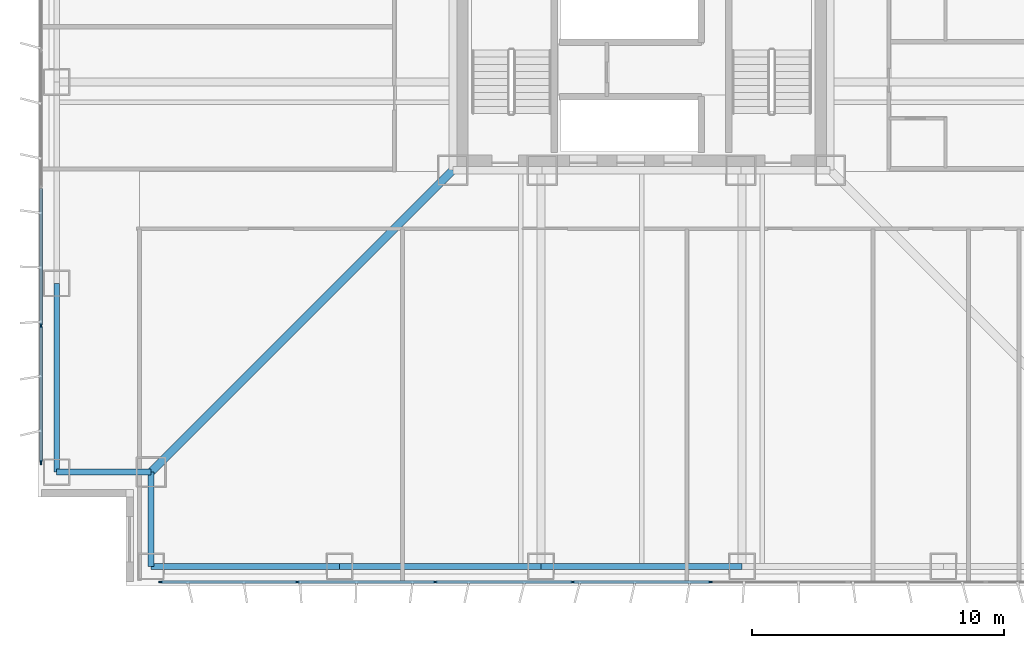
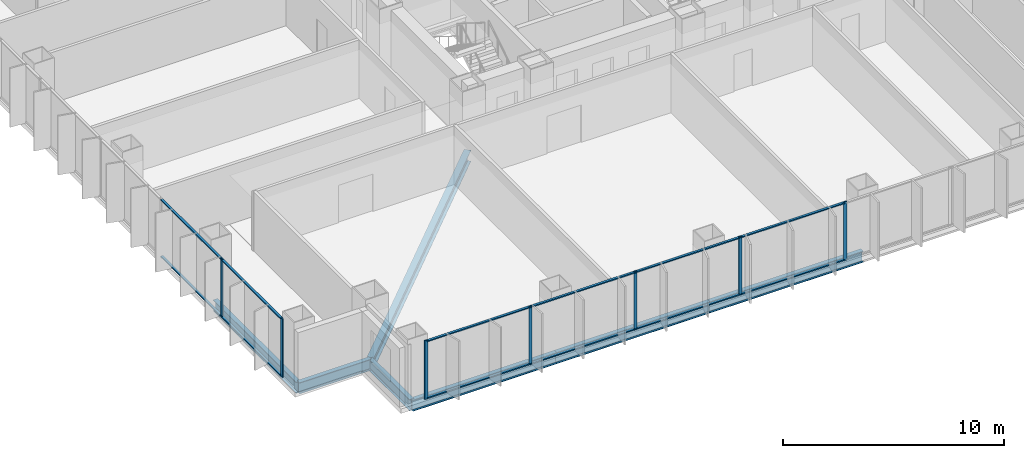
# One storey, part 2 of 17: 19 members, 7 beams, 2 elements without a shape of their own.
"""IFC4 building model written with IfcOpenShell, lengths in metres."""

import ifcopenshell
import ifcopenshell.guid

model = None  # the IFC model being written
_history = None  # IfcOwnerHistory: only IFC2X3 demands one
_inside = {}  # id of a spatial element -> (the spatial element, [elements in it])
_under = {}  # id of a project, library or spatial element -> (it, [spatial elements below it])
_declared = {}  # id of a project -> (the project, [libraries it declares])
_typed = {}  # id of a type object -> (the type object, [elements of that type])
_made_of = {}  # id of a material, layer set ... -> (it, [elements and type objects made of it])


def new_model(schema):
    """Start an empty IFC model of exactly this schema.

    Asked for "IFC4X3", IfcOpenShell would pick the latest addendum, in which some entities
    have other attributes; the version numbers below select the first issue.
    IFC2X3 requires an IfcOwnerHistory on every rooted entity: one is made here for all.
    """
    global model, _history
    if schema == "IFC4X3":
        model = ifcopenshell.file(schema_version=(4, 3, 0, 0))
    else:
        model = ifcopenshell.file(schema=schema)
    _inside.clear()
    _under.clear()
    _declared.clear()
    _typed.clear()
    _made_of.clear()
    _history = None
    if model.schema == "IFC2X3":
        org = make("IfcOrganization", Name="unknown")
        user = make(
            "IfcPersonAndOrganization",
            ThePerson=make("IfcPerson", FamilyName="unknown"),
            TheOrganization=org,
        )
        app = make(
            "IfcApplication",
            ApplicationDeveloper=org,
            Version="unknown",
            ApplicationFullName="unknown",
            ApplicationIdentifier="unknown",
        )
        _history = make(
            "IfcOwnerHistory",
            OwningUser=user,
            OwningApplication=app,
            ChangeAction="ADDED",
            CreationDate=0,
        )
    return model


def make(cls, **values):
    """One entity of the class cls with the attributes given. An attribute that is None is left unset."""
    return model.create_entity(
        cls, **{name: value for name, value in values.items() if value is not None}
    )


def rooted(cls, **values):
    """An entity with a GlobalId (a new one), such as an element, a storey or a relation."""
    return make(cls, GlobalId=ifcopenshell.guid.new(), OwnerHistory=_history, **values)


def si_unit(unit_type, name, prefix=None):
    """IfcSIUnit, for example si_unit("LENGTHUNIT", "METRE", prefix="MILLI")."""
    return make("IfcSIUnit", UnitType=unit_type, Prefix=prefix, Name=name)


def assignment(units):
    """IfcUnitAssignment: the units of a project."""
    return None if units is None else make("IfcUnitAssignment", Units=units)


def point(xyz):
    """IfcCartesianPoint."""
    return None if xyz is None else make("IfcCartesianPoint", Coordinates=xyz)


def direction(xyz):
    """IfcDirection."""
    return None if xyz is None else make("IfcDirection", DirectionRatios=xyz)


def frame(location, z_axis=None, x_axis=None):
    """IfcAxis2Placement3D, a coordinate frame: its origin and axes. An axis left out is left unset."""
    return make(
        "IfcAxis2Placement3D",
        Location=point(location),
        Axis=direction(z_axis),
        RefDirection=direction(x_axis),
    )


def frame_2d(location, x_axis=None):
    """IfcAxis2Placement2D, a coordinate frame in the plane: its origin and x axis."""
    return make(
        "IfcAxis2Placement2D", Location=point(location), RefDirection=direction(x_axis)
    )


def origin():
    """The frame at (0, 0, 0) with its axes left unset."""
    return frame((0.0, 0.0, 0.0))


def origin_2d():
    """The frame at (0, 0) in the plane with its x axis left unset."""
    return frame_2d((0.0, 0.0))


def place(relative_to, where):
    """IfcLocalPlacement: puts the frame where relative to a parent placement (None: the world)."""
    return make(
        "IfcLocalPlacement", PlacementRelTo=relative_to, RelativePlacement=where
    )


def context(
    kind, dimensions, precision=None, world=None, true_north=None, identifier=None
):
    """IfcGeometricRepresentationContext, for example the 3D "Model" context."""
    return make(
        "IfcGeometricRepresentationContext",
        ContextIdentifier=identifier,
        ContextType=kind,
        CoordinateSpaceDimension=dimensions,
        Precision=precision,
        WorldCoordinateSystem=world,
        TrueNorth=true_north,
    )


def subcontext(parent, identifier, kind, view, scale=None):
    """IfcGeometricRepresentationSubContext, for example "Body" below "Model"."""
    return make(
        "IfcGeometricRepresentationSubContext",
        ContextIdentifier=identifier,
        ContextType=kind,
        ParentContext=parent,
        TargetScale=scale,
        TargetView=view,
    )


def project(units=None, contexts=None):
    """IfcProject with its units and contexts."""
    return rooted(
        "IfcProject",
        Name="project",
        RepresentationContexts=contexts,
        UnitsInContext=assignment(units),
    )


def spatial(cls, under=None, at=None, **own):
    """A site, building, storey or space (cls), placed at a placement, below another one or the project."""
    s = rooted(cls, ObjectPlacement=at, **own)
    if under is not None:
        _under.setdefault(under.id(), (under, []))[1].append(s)
    return s


def profile(cls, at=None, kind="AREA", **sizes):
    """A parametric profile (cls). Its sizes go by their IFC names, for example OverallWidth=200.0."""
    return make(cls, ProfileType=kind, Position=at, **sizes)


def rectangle(**sizes):
    """IfcRectangleProfileDef."""
    return profile("IfcRectangleProfileDef", **sizes)


def i_section(**sizes):
    """IfcIShapeProfileDef."""
    return profile("IfcIShapeProfileDef", **sizes)


def extrude(swept, where, along, depth):
    """IfcExtrudedAreaSolid: the profile swept, set in the frame where, extruded along a direction by depth."""
    return make(
        "IfcExtrudedAreaSolid",
        SweptArea=swept,
        Position=where,
        ExtrudedDirection=direction(along),
        Depth=depth,
    )


def shape(context_of_items, identifier, shape_type, items):
    """IfcShapeRepresentation: the items that make up one representation, for example the "Body"."""
    return make(
        "IfcShapeRepresentation",
        ContextOfItems=context_of_items,
        RepresentationIdentifier=identifier,
        RepresentationType=shape_type,
        Items=items,
    )


def material(Name=None, Category=None):
    """IfcMaterial."""
    return make("IfcMaterial", Name=Name, Category=Category)


def layer(
    of_material, thickness, ventilated=None, Name=None, Category=None, Priority=None
):
    """IfcMaterialLayer: one layer of a wall or slab, of a material (None: an air gap)."""
    return make(
        "IfcMaterialLayer",
        Material=of_material,
        LayerThickness=thickness,
        IsVentilated=ventilated,
        Name=Name,
        Category=Category,
        Priority=Priority,
    )


def layer_set(layers, Name=None):
    """IfcMaterialLayerSet."""
    return make("IfcMaterialLayerSet", MaterialLayers=layers, LayerSetName=Name)


def material_profile(
    of_material, cross_section, Name=None, Category=None, Priority=None
):
    """IfcMaterialProfile: a cross section and its material."""
    return make(
        "IfcMaterialProfile",
        Name=Name,
        Material=of_material,
        Profile=cross_section,
        Priority=Priority,
        Category=Category,
    )


def profile_set(profiles, Name=None, composite=None):
    """IfcMaterialProfileSet."""
    return make(
        "IfcMaterialProfileSet",
        Name=Name,
        MaterialProfiles=profiles,
        CompositeProfile=composite,
    )


def made_of(thing, what):
    """Note that an element or type object is made of a material, layer set ...; save() writes the relation."""
    if what is not None:
        _made_of.setdefault(what.id(), (what, []))[1].append(thing)
    return thing


def type_object(cls, material=None, **own):
    """A type object (cls), such as IfcWallType, which elements share."""
    return made_of(rooted(cls, **own), material)


def element(
    cls,
    number,
    at=None,
    inside=None,
    cuts=None,
    type_object=None,
    material=None,
    context=None,
    identifier="Body",
    shape_type=None,
    held_by="IfcProductDefinitionShape",
    body=None,
    shapes=None,
    **own,
):
    """One element of the class cls, such as IfcWall. Its Tag is "e" and its number.

    at: its placement. inside: the storey or other place that contains it. cuts: it is an
    opening in that element (IfcRelVoidsElement). A single representation is given by context,
    identifier, shape_type and body (its items); several are given by shapes. held_by: the class
    of the entity that holds the representations. save() writes the other relations.
    """
    e = rooted(cls, Tag="e%d" % number, ObjectPlacement=at, **own)
    if body is not None:
        shapes = [shape(context, identifier, shape_type, body)]
    if shapes is not None:
        e.Representation = make(held_by, Representations=shapes)
    if inside is not None:
        _inside.setdefault(inside.id(), (inside, []))[1].append(e)
    if cuts is not None:
        rooted(
            "IfcRelVoidsElement", RelatingBuildingElement=cuts, RelatedOpeningElement=e
        )
    if type_object is not None:
        _typed.setdefault(type_object.id(), (type_object, []))[1].append(e)
    return made_of(e, material)


def aggregate(whole, parts):
    """IfcRelAggregates: a whole, such as a stair, and the parts it consists of."""
    return rooted("IfcRelAggregates", RelatingObject=whole, RelatedObjects=parts)


def save(model, path):
    """Write the relations noted so far, then the file.

    IfcRelAggregates (storeys below a building ...), IfcRelContainedInSpatialStructure (elements
    in a storey), IfcRelDefinesByType, IfcRelAssociatesMaterial and IfcRelDeclares: one each for
    every whole, place, type object, material and project.
    """
    for whole, parts in _under.values():
        aggregate(whole, parts)
    for where, things in _inside.values():
        rooted(
            "IfcRelContainedInSpatialStructure",
            RelatedElements=things,
            RelatingStructure=where,
        )
    for kind, things in _typed.values():
        rooted("IfcRelDefinesByType", RelatedObjects=things, RelatingType=kind)
    for what, things in _made_of.values():
        rooted("IfcRelAssociatesMaterial", RelatedObjects=things, RelatingMaterial=what)
    for by, libraries in _declared.values():
        rooted("IfcRelDeclares", RelatingContext=by, RelatedDefinitions=libraries)
    model.write(path)


model = new_model("IFC4")

# Units and contexts
model_context = context("Model", 3, precision=1e-05, world=origin(), true_north=direction((0.0, 1.0)))
body_context = subcontext(model_context, "Body", "Model", "MODEL_VIEW")
ifc_project = project(units=[si_unit("LENGTHUNIT", "METRE"), si_unit("AREAUNIT", "SQUARE_METRE"), si_unit("VOLUMEUNIT", "CUBIC_METRE"), si_unit("PLANEANGLEUNIT", "RADIAN"), si_unit("MASSUNIT", "GRAM", prefix="KILO")], contexts=[model_context])

# Site, building, storey
site_placement = place(None, origin())
site = spatial("IfcSite", under=ifc_project, at=site_placement, CompositionType="ELEMENT")
building_placement = place(site_placement, origin())
building = spatial("IfcBuilding", under=site, at=building_placement, Name="Trevonay Congress Spire", CompositionType="ELEMENT")
storey_placement = place(building_placement, frame((0.0, 0.0, 69.0)))
storey = spatial("IfcBuildingStorey", under=building, at=storey_placement, Name="L17", CompositionType="ELEMENT", Elevation=69.0)

# Beams
ifc_material_1 = material(Name="Steel ASTM A572 Grade 50", Category="steel")
ifc_material_profile_1 = material_profile(ifc_material_1, i_section(OverallWidth=0.324951171875, OverallDepth=0.615966796875, WebThickness=0.013916015625, FlangeThickness=0.021484375, FilletRadius=0.01806640625, at=origin_2d()), Name="W610x174")
ifc_profile_set_1 = profile_set([ifc_material_profile_1], Name="Steel ASTM A572 Grade 50")
beam_type_1 = type_object("IfcBeamType", Name="BM-GIRD-W610X174", PredefinedType="BEAM", material=ifc_profile_set_1)
beam_placement = place(storey_placement, frame((-7.5, -7.5, -0.55810546875), z_axis=(-0.707106781187, -0.707106781187, 0.0), x_axis=(0.707106781187, -0.707106781187, 0.0)))
element("IfcBeam", 1, at=beam_placement, inside=storey, type_object=beam_type_1, Name="L17 structural beam BM-L17-CDSW", PredefinedType="BEAM", context=body_context, shape_type="SweptSolid", body=[
    extrude(i_section(OverallWidth=0.324951171875, OverallDepth=0.615966796875, WebThickness=0.013916015625, FlangeThickness=0.021484375, FilletRadius=0.01806640625, at=origin_2d()), origin(), (0.0, 0.0, 1.0), 16.970458984375),
])
ifc_material_profile_2 = material_profile(ifc_material_1, i_section(OverallWidth=0.22998046875, OverallDepth=0.616943359375, WebThickness=0.01318359375, FlangeThickness=0.022216796875, FilletRadius=0.01611328125, at=origin_2d()), Name="W610x140")
ifc_profile_set_2 = profile_set([ifc_material_profile_2], Name="Steel ASTM A572 Grade 50")
beam_type_2 = type_object("IfcBeamType", Name="BM-RING-W610X140", PredefinedType="BEAM", material=ifc_profile_set_2)
for number, where, z_axis, x_axis, name in (
    (2, (-19.5, -23.25, -0.55859375), (1.0, 0.0, 0.0), (0.0, 1.0, 0.0), "L17 structural beam BM-L17-PS1"),
    (3, (-23.25, -19.5, -0.55859375), (0.0, 1.0, 0.0), (-1.0, 0.0, 0.0), "L17 structural beam BM-L17-PW1"),
):
    element("IfcBeam", number, at=place(storey_placement, frame(where, z_axis=z_axis, x_axis=x_axis)), inside=storey, type_object=beam_type_2, Name=name, PredefinedType="BEAM", context=body_context, shape_type="SweptSolid", body=[
        extrude(i_section(OverallWidth=0.22998046875, OverallDepth=0.616943359375, WebThickness=0.01318359375, FlangeThickness=0.022216796875, FilletRadius=0.01611328125, at=origin_2d()), origin(), (0.0, 0.0, 1.0), 7.5),
    ])
for number, where, z_axis, x_axis, name in (
    (4, (-12.0, -23.25, -0.55859375), (1.0, 0.0, 0.0), (0.0, 1.0, 0.0), "L17 structural beam BM-L17-PS2"),
    (5, (-4.0, -23.25, -0.55859375), (1.0, 0.0, 0.0), (0.0, 1.0, 0.0), "L17 structural beam BM-L17-PS3"),
):
    element("IfcBeam", number, at=place(storey_placement, frame(where, z_axis=z_axis, x_axis=x_axis)), inside=storey, type_object=beam_type_2, Name=name, PredefinedType="BEAM", context=body_context, shape_type="SweptSolid", body=[
        extrude(i_section(OverallWidth=0.22998046875, OverallDepth=0.616943359375, WebThickness=0.01318359375, FlangeThickness=0.022216796875, FilletRadius=0.01611328125, at=origin_2d()), origin(), (0.0, 0.0, 1.0), 8.0),
    ])
for number, where, z_axis, x_axis, name in (
    (6, (-19.5, -23.25, -0.55859375), (0.0, 1.0, 0.0), (-1.0, 0.0, 0.0), "L17 structural beam BM-L17-N1SW"),
    (7, (-23.25, -19.5, -0.55859375), (1.0, 0.0, 0.0), (0.0, 1.0, 0.0), "L17 structural beam BM-L17-N2SW"),
):
    element("IfcBeam", number, at=place(storey_placement, frame(where, z_axis=z_axis, x_axis=x_axis)), inside=storey, type_object=beam_type_2, Name=name, PredefinedType="BEAM", context=body_context, shape_type="SweptSolid", body=[
        extrude(i_section(OverallWidth=0.22998046875, OverallDepth=0.616943359375, WebThickness=0.01318359375, FlangeThickness=0.022216796875, FilletRadius=0.01611328125, at=origin_2d()), origin(), (0.0, 0.0, 1.0), 3.75),
    ])

# Curtain wall, members
ifc_material_2 = material(Name="Pale Anodised Aluminium EN AW-6063-T6", Category="aluminium")
ifc_layer = layer(ifc_material_2, 0.179931640625, Name="Pale Anodised Aluminium EN AW-6063-T6")
ifc_layer_set = layer_set([ifc_layer], Name="Pale Anodised Aluminium EN AW-6063-T6")
curtain_wall_type = type_object("IfcCurtainWallType", Name="CW-SYS02-HOTEL-PALE-METAL", PredefinedType="NOTDEFINED", material=ifc_layer_set)
curtain_wall_1_placement = place(storey_placement, origin())
curtain_wall_1 = element("IfcCurtainWall", 8, at=curtain_wall_1_placement, inside=storey, type_object=curtain_wall_type, Name="L17 S unitised curtain wall", PredefinedType="NOTDEFINED")
ifc_material_profile_3 = material_profile(ifc_material_2, rectangle(XDim=0.06005859375, YDim=0.159912109375, at=origin_2d()), Name="CW-MULLION-160-ALUMINIUM")
ifc_profile_set_3 = profile_set([ifc_material_profile_3], Name="Pale Anodised Aluminium EN AW-6063-T6")
member_type_1 = type_object("IfcMemberType", Name="CW-MULLION-160-ALUMINIUM", PredefinedType="MULLION", material=ifc_profile_set_3)
member_1_placement = place(storey_placement, frame((-19.1201171875, -23.8798828125, 0.0), z_axis=(0.0, 0.0, 1.0), x_axis=(0.0, 1.0, 0.0)))
member_1 = element("IfcMember", 9, at=member_1_placement, type_object=member_type_1, Name="CW02 mullion 1", PredefinedType="MULLION", context=body_context, shape_type="SweptSolid", body=[
    extrude(rectangle(XDim=0.06005859375, YDim=0.159912109375, at=origin_2d()), origin(), (0.0, 0.0, 1.0), 3.25),
])
member_2_placement = place(storey_placement, frame((-13.678466796875, -23.8798828125, 0.0), z_axis=(0.0, 0.0, 1.0), x_axis=(0.0, 1.0, 0.0)))
member_2 = element("IfcMember", 10, at=member_2_placement, type_object=member_type_1, Name="CW02 mullion 2", PredefinedType="MULLION", context=body_context, shape_type="SweptSolid", body=[
    extrude(rectangle(XDim=0.06005859375, YDim=0.159912109375, at=origin_2d()), origin(), (0.0, 0.0, 1.0), 3.25),
])
member_3_placement = place(storey_placement, frame((-8.20703125, -23.8798828125, 0.0), z_axis=(0.0, 0.0, 1.0), x_axis=(0.0, 1.0, 0.0)))
member_3 = element("IfcMember", 11, at=member_3_placement, type_object=member_type_1, Name="CW02 mullion 3", PredefinedType="MULLION", context=body_context, shape_type="SweptSolid", body=[
    extrude(rectangle(XDim=0.06005859375, YDim=0.159912109375, at=origin_2d()), origin(), (0.0, 0.0, 1.0), 3.25),
])
member_4_placement = place(storey_placement, frame((-2.735595703125, -23.8798828125, 0.0), z_axis=(0.0, 0.0, 1.0), x_axis=(0.0, 1.0, 0.0)))
member_4 = element("IfcMember", 12, at=member_4_placement, type_object=member_type_1, Name="CW02 mullion 4", PredefinedType="MULLION", context=body_context, shape_type="SweptSolid", body=[
    extrude(rectangle(XDim=0.06005859375, YDim=0.159912109375, at=origin_2d()), origin(), (0.0, 0.0, 1.0), 3.25),
])
member_5_placement = place(storey_placement, frame((2.735595703125, -23.8798828125, 0.0), z_axis=(0.0, 0.0, 1.0), x_axis=(0.0, 1.0, 0.0)))
member_5 = element("IfcMember", 13, at=member_5_placement, type_object=member_type_1, Name="CW02 mullion 5", PredefinedType="MULLION", context=body_context, shape_type="SweptSolid", body=[
    extrude(rectangle(XDim=0.06005859375, YDim=0.159912109375, at=origin_2d()), origin(), (0.0, 0.0, 1.0), 3.25),
])

curtain_wall_2_placement = place(storey_placement, origin())
curtain_wall_2 = element("IfcCurtainWall", 14, at=curtain_wall_2_placement, inside=storey, type_object=curtain_wall_type, Name="L17 W unitised curtain wall", PredefinedType="NOTDEFINED")
member_6_placement = place(storey_placement, frame((-23.8798828125, -19.1201171875, 0.0), z_axis=(0.0, 0.0, 1.0), x_axis=(-1.0, 0.0, 0.0)))
member_6 = element("IfcMember", 15, at=member_6_placement, type_object=member_type_1, Name="CW02 mullion 1", PredefinedType="MULLION", context=body_context, shape_type="SweptSolid", body=[
    extrude(rectangle(XDim=0.06005859375, YDim=0.159912109375, at=origin_2d()), origin(), (0.0, 0.0, 1.0), 3.25),
])
member_7_placement = place(storey_placement, frame((-23.8798828125, -13.678466796875, 0.0), z_axis=(0.0, 0.0, 1.0), x_axis=(-1.0, 0.0, 0.0)))
member_7 = element("IfcMember", 16, at=member_7_placement, type_object=member_type_1, Name="CW02 mullion 2", PredefinedType="MULLION", context=body_context, shape_type="SweptSolid", body=[
    extrude(rectangle(XDim=0.06005859375, YDim=0.159912109375, at=origin_2d()), origin(), (0.0, 0.0, 1.0), 3.25),
])

# Member
ifc_material_profile_4 = material_profile(ifc_material_2, rectangle(XDim=0.1201171875, YDim=0.06005859375, at=origin_2d()), Name="CW-TRANSOM-120-ALUMINIUM")
ifc_profile_set_4 = profile_set([ifc_material_profile_4], Name="Pale Anodised Aluminium EN AW-6063-T6")
member_type_2 = type_object("IfcMemberType", Name="CW-TRANSOM-120-ALUMINIUM", PredefinedType="USERDEFINED", material=ifc_profile_set_4)
member_8_placement = place(storey_placement, frame((-19.090087890625, -23.8798828125, 0.06005859375), z_axis=(1.0, 0.0, 0.0), x_axis=(0.0, 1.0, 0.0)))
member_8 = element("IfcMember", 17, at=member_8_placement, type_object=member_type_2, Name="CW02 transom 1.1", ObjectType="TRANSOM", PredefinedType="USERDEFINED", context=body_context, shape_type="SweptSolid", body=[
    extrude(rectangle(XDim=0.1201171875, YDim=0.06005859375, at=origin_2d()), origin(), (0.0, 0.0, 1.0), 5.381591796875),
])

member_9_placement = place(storey_placement, frame((-19.090087890625, -23.8798828125, 3.18994140625), z_axis=(1.0, 0.0, 0.0), x_axis=(0.0, 1.0, 0.0)))
member_9 = element("IfcMember", 18, at=member_9_placement, type_object=member_type_2, Name="CW02 transom 1.2", ObjectType="TRANSOM", PredefinedType="USERDEFINED", context=body_context, shape_type="SweptSolid", body=[
    extrude(rectangle(XDim=0.1201171875, YDim=0.06005859375, at=origin_2d()), origin(), (0.0, 0.0, 1.0), 5.381591796875),
])

member_10_placement = place(storey_placement, frame((-13.648681640625, -23.8798828125, 0.06005859375), z_axis=(1.0, 0.0, 0.0), x_axis=(0.0, 1.0, 0.0)))
member_10 = element("IfcMember", 19, at=member_10_placement, type_object=member_type_2, Name="CW02 transom 2.1", ObjectType="TRANSOM", PredefinedType="USERDEFINED", context=body_context, shape_type="SweptSolid", body=[
    extrude(rectangle(XDim=0.1201171875, YDim=0.06005859375, at=origin_2d()), origin(), (0.0, 0.0, 1.0), 5.41162109375),
])

member_11_placement = place(storey_placement, frame((-13.648681640625, -23.8798828125, 3.18994140625), z_axis=(1.0, 0.0, 0.0), x_axis=(0.0, 1.0, 0.0)))
member_11 = element("IfcMember", 20, at=member_11_placement, type_object=member_type_2, Name="CW02 transom 2.2", ObjectType="TRANSOM", PredefinedType="USERDEFINED", context=body_context, shape_type="SweptSolid", body=[
    extrude(rectangle(XDim=0.1201171875, YDim=0.06005859375, at=origin_2d()), origin(), (0.0, 0.0, 1.0), 5.41162109375),
])

member_12_placement = place(storey_placement, frame((-8.17724609375, -23.8798828125, 0.06005859375), z_axis=(1.0, 0.0, 0.0), x_axis=(0.0, 1.0, 0.0)))
member_12 = element("IfcMember", 21, at=member_12_placement, type_object=member_type_2, Name="CW02 transom 3.1", ObjectType="TRANSOM", PredefinedType="USERDEFINED", context=body_context, shape_type="SweptSolid", body=[
    extrude(rectangle(XDim=0.1201171875, YDim=0.06005859375, at=origin_2d()), origin(), (0.0, 0.0, 1.0), 5.41162109375),
])

member_13_placement = place(storey_placement, frame((-8.17724609375, -23.8798828125, 3.18994140625), z_axis=(1.0, 0.0, 0.0), x_axis=(0.0, 1.0, 0.0)))
member_13 = element("IfcMember", 22, at=member_13_placement, type_object=member_type_2, Name="CW02 transom 3.2", ObjectType="TRANSOM", PredefinedType="USERDEFINED", context=body_context, shape_type="SweptSolid", body=[
    extrude(rectangle(XDim=0.1201171875, YDim=0.06005859375, at=origin_2d()), origin(), (0.0, 0.0, 1.0), 5.41162109375),
])

member_14_placement = place(storey_placement, frame((-2.705810546875, -23.8798828125, 0.06005859375), z_axis=(1.0, 0.0, 0.0), x_axis=(0.0, 1.0, 0.0)))
member_14 = element("IfcMember", 23, at=member_14_placement, type_object=member_type_2, Name="CW02 transom 4.1", ObjectType="TRANSOM", PredefinedType="USERDEFINED", context=body_context, shape_type="SweptSolid", body=[
    extrude(rectangle(XDim=0.1201171875, YDim=0.06005859375, at=origin_2d()), origin(), (0.0, 0.0, 1.0), 5.41162109375),
])

member_15_placement = place(storey_placement, frame((-2.705810546875, -23.8798828125, 3.18994140625), z_axis=(1.0, 0.0, 0.0), x_axis=(0.0, 1.0, 0.0)))
member_15 = element("IfcMember", 24, at=member_15_placement, type_object=member_type_2, Name="CW02 transom 4.2", ObjectType="TRANSOM", PredefinedType="USERDEFINED", context=body_context, shape_type="SweptSolid", body=[
    extrude(rectangle(XDim=0.1201171875, YDim=0.06005859375, at=origin_2d()), origin(), (0.0, 0.0, 1.0), 5.41162109375),
])

aggregate(curtain_wall_1, [member_1, member_2, member_3, member_4, member_5, member_8, member_9, member_10, member_11, member_12, member_13, member_14, member_15])

member_16_placement = place(storey_placement, frame((-23.8798828125, -19.090087890625, 0.06005859375), z_axis=(0.0, 1.0, 0.0), x_axis=(-1.0, 0.0, 0.0)))
member_16 = element("IfcMember", 25, at=member_16_placement, type_object=member_type_2, Name="CW02 transom 1.1", ObjectType="TRANSOM", PredefinedType="USERDEFINED", context=body_context, shape_type="SweptSolid", body=[
    extrude(rectangle(XDim=0.1201171875, YDim=0.06005859375, at=origin_2d()), origin(), (0.0, 0.0, 1.0), 5.381591796875),
])

member_17_placement = place(storey_placement, frame((-23.8798828125, -19.090087890625, 3.18994140625), z_axis=(0.0, 1.0, 0.0), x_axis=(-1.0, 0.0, 0.0)))
member_17 = element("IfcMember", 26, at=member_17_placement, type_object=member_type_2, Name="CW02 transom 1.2", ObjectType="TRANSOM", PredefinedType="USERDEFINED", context=body_context, shape_type="SweptSolid", body=[
    extrude(rectangle(XDim=0.1201171875, YDim=0.06005859375, at=origin_2d()), origin(), (0.0, 0.0, 1.0), 5.381591796875),
])

member_18_placement = place(storey_placement, frame((-23.8798828125, -13.648681640625, 0.06005859375), z_axis=(0.0, 1.0, 0.0), x_axis=(-1.0, 0.0, 0.0)))
member_18 = element("IfcMember", 27, at=member_18_placement, type_object=member_type_2, Name="CW02 transom 2.1", ObjectType="TRANSOM", PredefinedType="USERDEFINED", context=body_context, shape_type="SweptSolid", body=[
    extrude(rectangle(XDim=0.1201171875, YDim=0.06005859375, at=origin_2d()), origin(), (0.0, 0.0, 1.0), 5.41162109375),
])

member_19_placement = place(storey_placement, frame((-23.8798828125, -13.648681640625, 3.18994140625), z_axis=(0.0, 1.0, 0.0), x_axis=(-1.0, 0.0, 0.0)))
member_19 = element("IfcMember", 28, at=member_19_placement, type_object=member_type_2, Name="CW02 transom 2.2", ObjectType="TRANSOM", PredefinedType="USERDEFINED", context=body_context, shape_type="SweptSolid", body=[
    extrude(rectangle(XDim=0.1201171875, YDim=0.06005859375, at=origin_2d()), origin(), (0.0, 0.0, 1.0), 5.41162109375),
])

aggregate(curtain_wall_2, [member_6, member_7, member_16, member_17, member_18, member_19])

save(model, "model.ifc")
